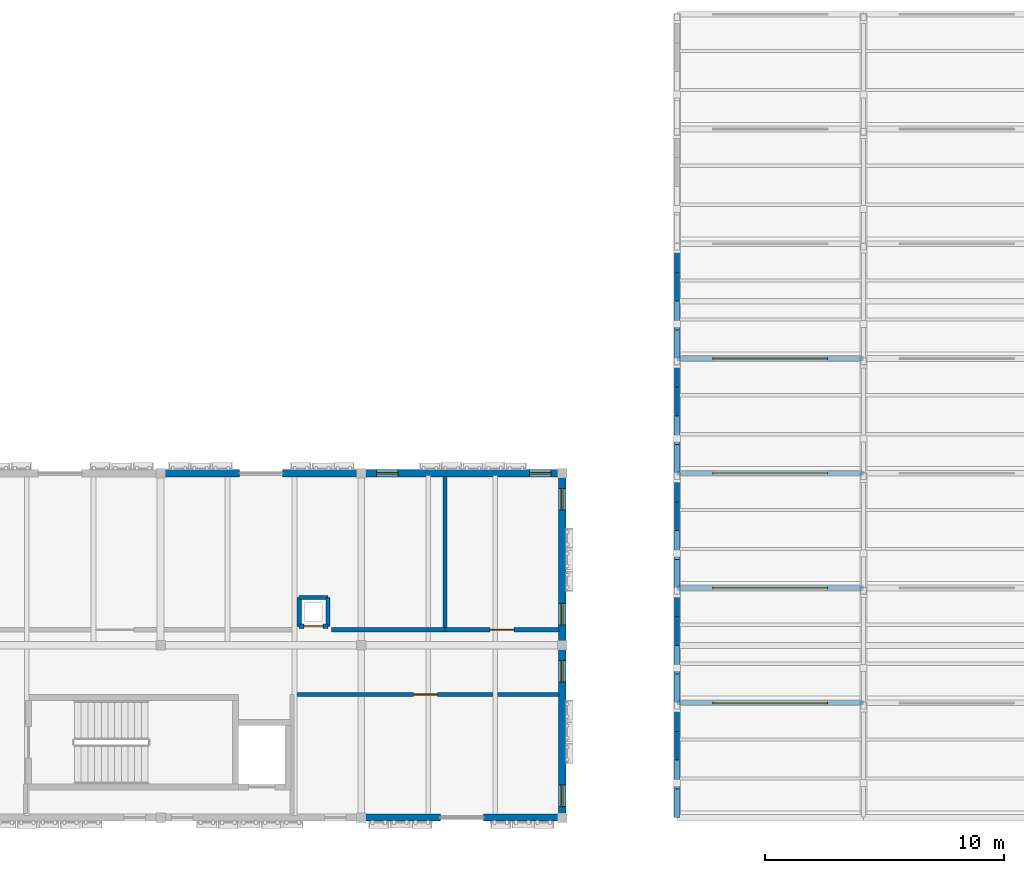
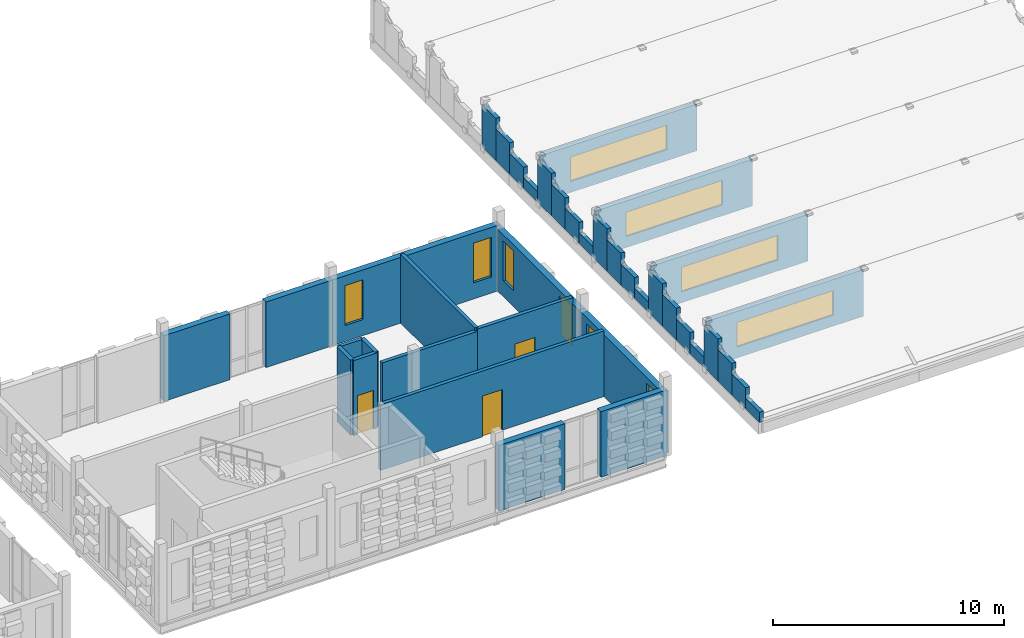
# One storey, part 56 of 81: 39 walls, 10 windows, 3 doors, 13 openings.
"""IFC4 building model written with IfcOpenShell, lengths in metres."""

from ifc_helpers import new_model, si_unit, direction, frame, frame_2d, origin, place, context, subcontext, project, spatial, rectangle, extrude, material, layer, layer_set, type_object, element, fill, save


model = new_model("IFC4")

# Units and contexts
model_context = context("Model", 3, precision=1e-05, world=origin(), true_north=direction((0.0, 1.0)))
body_context = subcontext(model_context, "Body", "Model", "MODEL_VIEW")
ifc_project = project(units=[si_unit("LENGTHUNIT", "METRE"), si_unit("AREAUNIT", "SQUARE_METRE"), si_unit("VOLUMEUNIT", "CUBIC_METRE"), si_unit("PLANEANGLEUNIT", "RADIAN"), si_unit("MASSUNIT", "GRAM", prefix="KILO")], contexts=[model_context])

# Site, building, storey
site_placement = place(None, origin())
site = spatial("IfcSite", under=ifc_project, at=site_placement, CompositionType="ELEMENT")
building_placement = place(site_placement, origin())
building = spatial("IfcBuilding", under=site, at=building_placement, Name="Kahlenmark Community Centre", CompositionType="ELEMENT")
storey_placement = place(building_placement, frame((0.0, 0.0, 9.60009765625)))
storey = spatial("IfcBuildingStorey", under=building, at=storey_placement, Name="L02", CompositionType="ELEMENT", Elevation=9.60009765625)

# Walls
ifc_material_1 = material(Name="Cross-laminated timber CLT C24", Category="wood")
ifc_layer_1 = layer(ifc_material_1, 0.300048828125)
ifc_layer_set_1 = layer_set([ifc_layer_1], Name="Cross-laminated timber CLT C24")
wall_type_1 = type_object("IfcWallType", Name="WT-EW-300", PredefinedType="SOLIDWALL", material=ifc_layer_set_1)
for number, where, z_axis, x_axis, name in (
    (1, (108.39990234375, 8.800048828125, 0.0), (0.0, 0.0, 1.0), (1.0, 0.0, 0.0), "Basketweave backup wall WL-EXT-L02-0533"),
    (2, (113.5, 8.800048828125, 0.0), (0.0, 0.0, 1.0), (1.0, 0.0, 0.0), "Basketweave backup wall WL-EXT-L02-0534"),
):
    element("IfcWall", number, at=place(storey_placement, frame(where, z_axis=z_axis, x_axis=x_axis)), inside=storey, type_object=wall_type_1, Name=name, PredefinedType="SOLIDWALL", context=body_context, shape_type="SweptSolid", body=[
        extrude(rectangle(XDim=3.300048828125, YDim=0.300048828125, at=frame_2d((1.64990234375, 0.0))), origin(), (0.0, 0.0, 1.0), 3.469970703125),
    ])
wall_1_placement = place(storey_placement, frame((108.39990234375, 23.199951171875, 0.0), z_axis=(0.0, 0.0, 1.0), x_axis=(-1.0, 0.0, 0.0)))
element("IfcWall", 3, at=wall_1_placement, inside=storey, type_object=wall_type_1, Name="Basketweave backup wall WL-EXT-L02-0537", PredefinedType="SOLIDWALL", context=body_context, shape_type="SweptSolid", body=[
    extrude(rectangle(XDim=3.2998046875, YDim=0.300048828125, at=frame_2d((1.64990234375, 0.0))), origin(), (0.0, 0.0, 1.0), 3.469970703125),
])
wall_2_placement = place(storey_placement, frame((103.300048828125, 23.199951171875, 0.0), z_axis=(0.0, 0.0, 1.0), x_axis=(-1.0, 0.0, 0.0)))
element("IfcWall", 4, at=wall_2_placement, inside=storey, type_object=wall_type_1, Name="Basketweave backup wall WL-EXT-L02-0538", PredefinedType="SOLIDWALL", context=body_context, shape_type="SweptSolid", body=[
    extrude(rectangle(XDim=3.300048828125, YDim=0.300048828125, at=frame_2d((1.64990234375, 0.0))), origin(), (0.0, 0.0, 1.0), 3.469970703125),
])

# Wall, openings, windows
wall_3_placement = place(storey_placement, frame((116.800048828125, 23.199951171875, 0.0), z_axis=(0.0, 0.0, 1.0), x_axis=(-1.0, 0.0, 0.0)))
wall_3 = element("IfcWall", 5, at=wall_3_placement, inside=storey, type_object=wall_type_1, Name="Exterior wall WL-EXT-L02-0539", PredefinedType="SOLIDWALL", context=body_context, shape_type="SweptSolid", body=[
    extrude(rectangle(XDim=8.400146484375, YDim=0.300048828125, at=frame_2d((4.2001953125, 0.0))), origin(), (0.0, 0.0, 1.0), 3.469970703125),
])
opening_1_placement = place(wall_3_placement, frame((0.4599609375, 0.0, 0.85009765625)))
opening_1 = element("IfcOpeningElement", 6, at=opening_1_placement, cuts=wall_3, Name="Opening W-090X210", PredefinedType="OPENING", context=body_context, shape_type="SweptSolid", body=[
    extrude(rectangle(XDim=0.89990234375, YDim=2.10009765625, at=frame_2d((0.449951171875, 1.050048828125))), frame((0.0, 0.159912109375, 0.0), z_axis=(0.0, -1.0, 0.0), x_axis=(1.0, 0.0, 0.0)), (0.0, 0.0, 1.0), 0.320068359375),
])
opening_2_placement = place(wall_3_placement, frame((6.860107421875, 0.0, 0.85009765625)))
opening_2 = element("IfcOpeningElement", 7, at=opening_2_placement, cuts=wall_3, Name="Opening W-090X210", PredefinedType="OPENING", context=body_context, shape_type="SweptSolid", body=[
    extrude(rectangle(XDim=0.89990234375, YDim=2.10009765625, at=frame_2d((0.449951171875, 1.050048828125))), frame((0.0, 0.159912109375, 0.0), z_axis=(0.0, -1.0, 0.0), x_axis=(1.0, 0.0, 0.0)), (0.0, 0.0, 1.0), 0.320068359375),
])
ifc_material_2 = material(Name="Recessed basketweave aperture triple glazing", Category="glass")
window_type_1 = type_object("IfcWindowType", Name="WNT-090X210", PartitioningType="SINGLE_PANEL", PredefinedType="WINDOW", material=ifc_material_2)
window_1_placement = place(opening_1_placement, origin())
window_1 = element("IfcWindow", 8, at=window_1_placement, inside=storey, type_object=window_type_1, Name="Window W-090X210 #0333", OverallHeight=2.10009765625, OverallWidth=0.89990234375, PartitioningType="SINGLE_PANEL", PredefinedType="WINDOW", context=body_context, shape_type="SweptSolid", body=[
    extrude(rectangle(XDim=0.89990234375, YDim=2.10009765625, at=frame_2d((0.449951171875, 1.050048828125))), frame((0.0, 0.030029296875, 0.0), z_axis=(0.0, -1.0, 0.0), x_axis=(1.0, 0.0, 0.0)), (0.0, 0.0, 1.0), 0.06005859375),
])
fill(opening_1, window_1)
window_2_placement = place(opening_2_placement, origin())
window_2 = element("IfcWindow", 9, at=window_2_placement, inside=storey, type_object=window_type_1, Name="Window W-090X210 #0334", OverallHeight=2.10009765625, OverallWidth=0.89990234375, PartitioningType="SINGLE_PANEL", PredefinedType="WINDOW", context=body_context, shape_type="SweptSolid", body=[
    extrude(rectangle(XDim=0.89990234375, YDim=2.10009765625, at=frame_2d((0.449951171875, 1.050048828125))), frame((0.0, 0.030029296875, 0.0), z_axis=(0.0, -1.0, 0.0), x_axis=(1.0, 0.0, 0.0)), (0.0, 0.0, 1.0), 0.06005859375),
])
fill(opening_2, window_2)

wall_4_placement = place(storey_placement, frame((116.800048828125, 8.800048828125, 0.0), z_axis=(0.0, 0.0, 1.0), x_axis=(0.0, 1.0, 0.0)))
wall_4 = element("IfcWall", 10, at=wall_4_placement, inside=storey, type_object=wall_type_1, Name="Exterior wall WL-EXT-L02-0543", PredefinedType="SOLIDWALL", context=body_context, shape_type="SweptSolid", body=[
    extrude(rectangle(XDim=7.199951171875, YDim=0.300048828125, at=frame_2d((3.60009765625, 0.0))), origin(), (0.0, 0.0, 1.0), 3.27001953125),
])
opening_3_placement = place(wall_4_placement, frame((0.4599609375, 0.0, 0.85009765625)))
opening_3 = element("IfcOpeningElement", 11, at=opening_3_placement, cuts=wall_4, Name="Opening W-090X210", PredefinedType="OPENING", context=body_context, shape_type="SweptSolid", body=[
    extrude(rectangle(XDim=0.89990234375, YDim=2.10009765625, at=frame_2d((0.449951171875, 1.050048828125))), frame((0.0, 0.159912109375, 0.0), z_axis=(0.0, -1.0, 0.0), x_axis=(1.0, 0.0, 0.0)), (0.0, 0.0, 1.0), 0.320068359375),
])
opening_4_placement = place(wall_4_placement, frame((5.659912109375, 0.0, 0.85009765625)))
opening_4 = element("IfcOpeningElement", 12, at=opening_4_placement, cuts=wall_4, Name="Opening W-090X210", PredefinedType="OPENING", context=body_context, shape_type="SweptSolid", body=[
    extrude(rectangle(XDim=0.89990234375, YDim=2.10009765625, at=frame_2d((0.449951171875, 1.050048828125))), frame((0.0, 0.159912109375, 0.0), z_axis=(0.0, -1.0, 0.0), x_axis=(1.0, 0.0, 0.0)), (0.0, 0.0, 1.0), 0.320068359375),
])
window_3_placement = place(opening_3_placement, origin())
window_3 = element("IfcWindow", 13, at=window_3_placement, inside=storey, type_object=window_type_1, Name="Window W-090X210 #0337", OverallHeight=2.10009765625, OverallWidth=0.89990234375, PartitioningType="SINGLE_PANEL", PredefinedType="WINDOW", context=body_context, shape_type="SweptSolid", body=[
    extrude(rectangle(XDim=0.89990234375, YDim=2.10009765625, at=frame_2d((0.449951171875, 1.050048828125))), frame((0.0, 0.030029296875, 0.0), z_axis=(0.0, -1.0, 0.0), x_axis=(1.0, 0.0, 0.0)), (0.0, 0.0, 1.0), 0.06005859375),
])
fill(opening_3, window_3)
window_4_placement = place(opening_4_placement, origin())
window_4 = element("IfcWindow", 14, at=window_4_placement, inside=storey, type_object=window_type_1, Name="Window W-090X210 #0338", OverallHeight=2.10009765625, OverallWidth=0.89990234375, PartitioningType="SINGLE_PANEL", PredefinedType="WINDOW", context=body_context, shape_type="SweptSolid", body=[
    extrude(rectangle(XDim=0.89990234375, YDim=2.10009765625, at=frame_2d((0.449951171875, 1.050048828125))), frame((0.0, 0.030029296875, 0.0), z_axis=(0.0, -1.0, 0.0), x_axis=(1.0, 0.0, 0.0)), (0.0, 0.0, 1.0), 0.06005859375),
])
fill(opening_4, window_4)

wall_5_placement = place(storey_placement, frame((116.800048828125, 16.0, 0.0), z_axis=(0.0, 0.0, 1.0), x_axis=(0.0, 1.0, 0.0)))
wall_5 = element("IfcWall", 15, at=wall_5_placement, inside=storey, type_object=wall_type_1, Name="Exterior wall WL-EXT-L02-0544", PredefinedType="SOLIDWALL", context=body_context, shape_type="SweptSolid", body=[
    extrude(rectangle(XDim=7.199951171875, YDim=0.300048828125, at=frame_2d((3.60009765625, 0.0))), origin(), (0.0, 0.0, 1.0), 3.27001953125),
])
opening_5_placement = place(wall_5_placement, frame((0.860107421875, 0.0, 0.85009765625)))
opening_5 = element("IfcOpeningElement", 16, at=opening_5_placement, cuts=wall_5, Name="Opening W-090X210", PredefinedType="OPENING", context=body_context, shape_type="SweptSolid", body=[
    extrude(rectangle(XDim=0.89990234375, YDim=2.10009765625, at=frame_2d((0.449951171875, 1.050048828125))), frame((0.0, 0.159912109375, 0.0), z_axis=(0.0, -1.0, 0.0), x_axis=(1.0, 0.0, 0.0)), (0.0, 0.0, 1.0), 0.320068359375),
])
opening_6_placement = place(wall_5_placement, frame((5.659912109375, 0.0, 0.85009765625)))
opening_6 = element("IfcOpeningElement", 17, at=opening_6_placement, cuts=wall_5, Name="Opening W-090X210", PredefinedType="OPENING", context=body_context, shape_type="SweptSolid", body=[
    extrude(rectangle(XDim=0.89990234375, YDim=2.10009765625, at=frame_2d((0.449951171875, 1.050048828125))), frame((0.0, 0.159912109375, 0.0), z_axis=(0.0, -1.0, 0.0), x_axis=(1.0, 0.0, 0.0)), (0.0, 0.0, 1.0), 0.320068359375),
])
window_5_placement = place(opening_5_placement, origin())
window_5 = element("IfcWindow", 18, at=window_5_placement, inside=storey, type_object=window_type_1, Name="Window W-090X210 #0339", OverallHeight=2.10009765625, OverallWidth=0.89990234375, PartitioningType="SINGLE_PANEL", PredefinedType="WINDOW", context=body_context, shape_type="SweptSolid", body=[
    extrude(rectangle(XDim=0.89990234375, YDim=2.10009765625, at=frame_2d((0.449951171875, 1.050048828125))), frame((0.0, 0.030029296875, 0.0), z_axis=(0.0, -1.0, 0.0), x_axis=(1.0, 0.0, 0.0)), (0.0, 0.0, 1.0), 0.06005859375),
])
fill(opening_5, window_5)
window_6_placement = place(opening_6_placement, origin())
window_6 = element("IfcWindow", 19, at=window_6_placement, inside=storey, type_object=window_type_1, Name="Window W-090X210 #0340", OverallHeight=2.10009765625, OverallWidth=0.89990234375, PartitioningType="SINGLE_PANEL", PredefinedType="WINDOW", context=body_context, shape_type="SweptSolid", body=[
    extrude(rectangle(XDim=0.89990234375, YDim=2.10009765625, at=frame_2d((0.449951171875, 1.050048828125))), frame((0.0, 0.030029296875, 0.0), z_axis=(0.0, -1.0, 0.0), x_axis=(1.0, 0.0, 0.0)), (0.0, 0.0, 1.0), 0.06005859375),
])
fill(opening_6, window_6)

# Wall, opening, window
ifc_layer_2 = layer(ifc_material_1, 0.199951171875)
ifc_layer_set_2 = layer_set([ifc_layer_2], Name="Cross-laminated timber CLT C24")
wall_type_2 = type_object("IfcWallType", Name="WT-EW-SAW200", PredefinedType="SOLIDWALL", material=ifc_layer_set_2)
wall_6_placement = place(storey_placement, frame((121.60009765625, 13.60009765625, 0.0), z_axis=(0.0, 0.0, 1.0), x_axis=(1.0, 0.0, 0.0)))
wall_6 = element("IfcWall", 20, at=wall_6_placement, inside=storey, type_object=wall_type_2, Name="Sawtooth north-light wall bay 1", PredefinedType="SOLIDWALL", context=body_context, shape_type="SweptSolid", body=[
    extrude(rectangle(XDim=7.7998046875, YDim=0.199951171875, at=frame_2d((3.89990234375, 0.0))), origin(), (0.0, 0.0, 1.0), 2.4599609375),
])
opening_7_placement = place(wall_6_placement, frame((1.5, 0.0, 0.580078125)))
opening_7 = element("IfcOpeningElement", 21, at=opening_7_placement, cuts=wall_6, Name="Opening SK-SAW1", PredefinedType="OPENING", context=body_context, shape_type="SweptSolid", body=[
    extrude(rectangle(XDim=4.800048828125, YDim=1.300048828125, at=frame_2d((2.39990234375, 0.64990234375))), frame((0.0, 0.10986328125, 0.0), z_axis=(0.0, -1.0, 0.0), x_axis=(1.0, 0.0, 0.0)), (0.0, 0.0, 1.0), 0.219970703125),
])
ifc_material_3 = material(Name="North-light solar control triple glazing", Category="glass")
window_type_2 = type_object("IfcWindowType", Name="WNT-SK-SAW", PartitioningType="TRIPLE_PANEL_VERTICAL", PredefinedType="SKYLIGHT", material=ifc_material_3)
window_7_placement = place(opening_7_placement, origin())
window_7 = element("IfcWindow", 22, at=window_7_placement, inside=storey, type_object=window_type_2, Name="Sawtooth north-light skylight 0551", OverallHeight=1.300048828125, OverallWidth=4.800048828125, PartitioningType="TRIPLE_PANEL_VERTICAL", PredefinedType="SKYLIGHT", context=body_context, shape_type="SweptSolid", body=[
    extrude(rectangle(XDim=4.800048828125, YDim=1.300048828125, at=frame_2d((2.39990234375, 0.64990234375))), frame((0.0, 0.030029296875, 0.0), z_axis=(0.0, -1.0, 0.0), x_axis=(1.0, 0.0, 0.0)), (0.0, 0.0, 1.0), 0.06005859375),
])
fill(opening_7, window_7)

# Walls
wall_7_placement = place(storey_placement, frame((121.60009765625, 8.800048828125, 0.0), z_axis=(0.0, 0.0, 1.0), x_axis=(0.0, 1.0, 0.0)))
element("IfcWall", 23, at=wall_7_placement, inside=storey, type_object=wall_type_2, Name="Sawtooth stepped cheek gable 0934", PredefinedType="SOLIDWALL", context=body_context, shape_type="SweptSolid", body=[
    extrude(rectangle(XDim=1.199951171875, YDim=0.199951171875, at=frame_2d((0.60009765625, 0.0))), origin(), (0.0, 0.0, 1.0), 0.5439453125),
])
wall_8_placement = place(storey_placement, frame((121.60009765625, 10.0, 0.0), z_axis=(0.0, 0.0, 1.0), x_axis=(0.0, 1.0, 0.0)))
element("IfcWall", 24, at=wall_8_placement, inside=storey, type_object=wall_type_2, Name="Sawtooth stepped cheek gable 0935", PredefinedType="SOLIDWALL", context=body_context, shape_type="SweptSolid", body=[
    extrude(rectangle(XDim=1.199951171875, YDim=0.199951171875, at=frame_2d((0.60009765625, 0.0))), origin(), (0.0, 0.0, 1.0), 1.10400390625),
])
wall_9_placement = place(storey_placement, frame((121.60009765625, 11.199951171875, 0.0), z_axis=(0.0, 0.0, 1.0), x_axis=(0.0, 1.0, 0.0)))
element("IfcWall", 25, at=wall_9_placement, inside=storey, type_object=wall_type_2, Name="Sawtooth stepped cheek gable 0936", PredefinedType="SOLIDWALL", context=body_context, shape_type="SweptSolid", body=[
    extrude(rectangle(XDim=1.199951171875, YDim=0.199951171875, at=frame_2d((0.60009765625, 0.0))), origin(), (0.0, 0.0, 1.0), 1.663818359375),
])
wall_10_placement = place(storey_placement, frame((121.60009765625, 12.39990234375, 0.0), z_axis=(0.0, 0.0, 1.0), x_axis=(0.0, 1.0, 0.0)))
element("IfcWall", 26, at=wall_10_placement, inside=storey, type_object=wall_type_2, Name="Sawtooth stepped cheek gable 0937", PredefinedType="SOLIDWALL", context=body_context, shape_type="SweptSolid", body=[
    extrude(rectangle(XDim=1.2001953125, YDim=0.199951171875, at=frame_2d((0.60009765625, 0.0))), origin(), (0.0, 0.0, 1.0), 2.223876953125),
])

# Wall, opening, window
wall_11_placement = place(storey_placement, frame((121.60009765625, 18.39990234375, 0.0), z_axis=(0.0, 0.0, 1.0), x_axis=(1.0, 0.0, 0.0)))
wall_11 = element("IfcWall", 27, at=wall_11_placement, inside=storey, type_object=wall_type_2, Name="Sawtooth north-light wall bay 2", PredefinedType="SOLIDWALL", context=body_context, shape_type="SweptSolid", body=[
    extrude(rectangle(XDim=7.7998046875, YDim=0.199951171875, at=frame_2d((3.89990234375, 0.0))), origin(), (0.0, 0.0, 1.0), 2.4599609375),
])
opening_8_placement = place(wall_11_placement, frame((1.5, 0.0, 0.580078125)))
opening_8 = element("IfcOpeningElement", 28, at=opening_8_placement, cuts=wall_11, Name="Opening SK-SAW1", PredefinedType="OPENING", context=body_context, shape_type="SweptSolid", body=[
    extrude(rectangle(XDim=4.800048828125, YDim=1.300048828125, at=frame_2d((2.39990234375, 0.64990234375))), frame((0.0, 0.10986328125, 0.0), z_axis=(0.0, -1.0, 0.0), x_axis=(1.0, 0.0, 0.0)), (0.0, 0.0, 1.0), 0.219970703125),
])
window_8_placement = place(opening_8_placement, origin())
window_8 = element("IfcWindow", 29, at=window_8_placement, inside=storey, type_object=window_type_2, Name="Sawtooth north-light skylight 0557", OverallHeight=1.300048828125, OverallWidth=4.800048828125, PartitioningType="TRIPLE_PANEL_VERTICAL", PredefinedType="SKYLIGHT", context=body_context, shape_type="SweptSolid", body=[
    extrude(rectangle(XDim=4.800048828125, YDim=1.300048828125, at=frame_2d((2.39990234375, 0.64990234375))), frame((0.0, 0.030029296875, 0.0), z_axis=(0.0, -1.0, 0.0), x_axis=(1.0, 0.0, 0.0)), (0.0, 0.0, 1.0), 0.06005859375),
])
fill(opening_8, window_8)

# Walls
wall_12_placement = place(storey_placement, frame((121.60009765625, 13.60009765625, 0.0), z_axis=(0.0, 0.0, 1.0), x_axis=(0.0, 1.0, 0.0)))
element("IfcWall", 30, at=wall_12_placement, inside=storey, type_object=wall_type_2, Name="Sawtooth stepped cheek gable 0948", PredefinedType="SOLIDWALL", context=body_context, shape_type="SweptSolid", body=[
    extrude(rectangle(XDim=1.199951171875, YDim=0.199951171875, at=frame_2d((0.60009765625, 0.0))), origin(), (0.0, 0.0, 1.0), 0.5439453125),
])
wall_13_placement = place(storey_placement, frame((121.60009765625, 14.800048828125, 0.0), z_axis=(0.0, 0.0, 1.0), x_axis=(0.0, 1.0, 0.0)))
element("IfcWall", 31, at=wall_13_placement, inside=storey, type_object=wall_type_2, Name="Sawtooth stepped cheek gable 0949", PredefinedType="SOLIDWALL", context=body_context, shape_type="SweptSolid", body=[
    extrude(rectangle(XDim=1.199951171875, YDim=0.199951171875, at=frame_2d((0.60009765625, 0.0))), origin(), (0.0, 0.0, 1.0), 1.10400390625),
])
wall_14_placement = place(storey_placement, frame((121.60009765625, 16.0, 0.0), z_axis=(0.0, 0.0, 1.0), x_axis=(0.0, 1.0, 0.0)))
element("IfcWall", 32, at=wall_14_placement, inside=storey, type_object=wall_type_2, Name="Sawtooth stepped cheek gable 0950", PredefinedType="SOLIDWALL", context=body_context, shape_type="SweptSolid", body=[
    extrude(rectangle(XDim=1.199951171875, YDim=0.199951171875, at=frame_2d((0.60009765625, 0.0))), origin(), (0.0, 0.0, 1.0), 1.663818359375),
])
wall_15_placement = place(storey_placement, frame((121.60009765625, 17.199951171875, 0.0), z_axis=(0.0, 0.0, 1.0), x_axis=(0.0, 1.0, 0.0)))
element("IfcWall", 33, at=wall_15_placement, inside=storey, type_object=wall_type_2, Name="Sawtooth stepped cheek gable 0951", PredefinedType="SOLIDWALL", context=body_context, shape_type="SweptSolid", body=[
    extrude(rectangle(XDim=1.199951171875, YDim=0.199951171875, at=frame_2d((0.60009765625, 0.0))), origin(), (0.0, 0.0, 1.0), 2.223876953125),
])

# Wall, opening, window
wall_16_placement = place(storey_placement, frame((121.60009765625, 23.199951171875, 0.0), z_axis=(0.0, 0.0, 1.0), x_axis=(1.0, 0.0, 0.0)))
wall_16 = element("IfcWall", 34, at=wall_16_placement, inside=storey, type_object=wall_type_2, Name="Sawtooth north-light wall bay 3", PredefinedType="SOLIDWALL", context=body_context, shape_type="SweptSolid", body=[
    extrude(rectangle(XDim=7.7998046875, YDim=0.199951171875, at=frame_2d((3.89990234375, 0.0))), origin(), (0.0, 0.0, 1.0), 2.4599609375),
])
opening_9_placement = place(wall_16_placement, frame((1.5, 0.0, 0.580078125)))
opening_9 = element("IfcOpeningElement", 35, at=opening_9_placement, cuts=wall_16, Name="Opening SK-SAW1", PredefinedType="OPENING", context=body_context, shape_type="SweptSolid", body=[
    extrude(rectangle(XDim=4.800048828125, YDim=1.300048828125, at=frame_2d((2.39990234375, 0.64990234375))), frame((0.0, 0.10986328125, 0.0), z_axis=(0.0, -1.0, 0.0), x_axis=(1.0, 0.0, 0.0)), (0.0, 0.0, 1.0), 0.219970703125),
])
window_9_placement = place(opening_9_placement, origin())
window_9 = element("IfcWindow", 36, at=window_9_placement, inside=storey, type_object=window_type_2, Name="Sawtooth north-light skylight 0563", OverallHeight=1.300048828125, OverallWidth=4.800048828125, PartitioningType="TRIPLE_PANEL_VERTICAL", PredefinedType="SKYLIGHT", context=body_context, shape_type="SweptSolid", body=[
    extrude(rectangle(XDim=4.800048828125, YDim=1.300048828125, at=frame_2d((2.39990234375, 0.64990234375))), frame((0.0, 0.030029296875, 0.0), z_axis=(0.0, -1.0, 0.0), x_axis=(1.0, 0.0, 0.0)), (0.0, 0.0, 1.0), 0.06005859375),
])
fill(opening_9, window_9)

# Walls
wall_17_placement = place(storey_placement, frame((121.60009765625, 18.39990234375, 0.0), z_axis=(0.0, 0.0, 1.0), x_axis=(0.0, 1.0, 0.0)))
element("IfcWall", 37, at=wall_17_placement, inside=storey, type_object=wall_type_2, Name="Sawtooth stepped cheek gable 0962", PredefinedType="SOLIDWALL", context=body_context, shape_type="SweptSolid", body=[
    extrude(rectangle(XDim=1.2001953125, YDim=0.199951171875, at=frame_2d((0.60009765625, 0.0))), origin(), (0.0, 0.0, 1.0), 0.5439453125),
])
wall_18_placement = place(storey_placement, frame((121.60009765625, 19.60009765625, 0.0), z_axis=(0.0, 0.0, 1.0), x_axis=(0.0, 1.0, 0.0)))
element("IfcWall", 38, at=wall_18_placement, inside=storey, type_object=wall_type_2, Name="Sawtooth stepped cheek gable 0963", PredefinedType="SOLIDWALL", context=body_context, shape_type="SweptSolid", body=[
    extrude(rectangle(XDim=1.199951171875, YDim=0.199951171875, at=frame_2d((0.60009765625, 0.0))), origin(), (0.0, 0.0, 1.0), 1.10400390625),
])
wall_19_placement = place(storey_placement, frame((121.60009765625, 20.800048828125, 0.0), z_axis=(0.0, 0.0, 1.0), x_axis=(0.0, 1.0, 0.0)))
element("IfcWall", 39, at=wall_19_placement, inside=storey, type_object=wall_type_2, Name="Sawtooth stepped cheek gable 0964", PredefinedType="SOLIDWALL", context=body_context, shape_type="SweptSolid", body=[
    extrude(rectangle(XDim=1.199951171875, YDim=0.199951171875, at=frame_2d((0.60009765625, 0.0))), origin(), (0.0, 0.0, 1.0), 1.663818359375),
])
wall_20_placement = place(storey_placement, frame((121.60009765625, 22.0, 0.0), z_axis=(0.0, 0.0, 1.0), x_axis=(0.0, 1.0, 0.0)))
element("IfcWall", 40, at=wall_20_placement, inside=storey, type_object=wall_type_2, Name="Sawtooth stepped cheek gable 0965", PredefinedType="SOLIDWALL", context=body_context, shape_type="SweptSolid", body=[
    extrude(rectangle(XDim=1.199951171875, YDim=0.199951171875, at=frame_2d((0.60009765625, 0.0))), origin(), (0.0, 0.0, 1.0), 2.223876953125),
])

# Wall, opening, window
wall_21_placement = place(storey_placement, frame((121.60009765625, 28.0, 0.0), z_axis=(0.0, 0.0, 1.0), x_axis=(1.0, 0.0, 0.0)))
wall_21 = element("IfcWall", 41, at=wall_21_placement, inside=storey, type_object=wall_type_2, Name="Sawtooth north-light wall bay 4", PredefinedType="SOLIDWALL", context=body_context, shape_type="SweptSolid", body=[
    extrude(rectangle(XDim=7.7998046875, YDim=0.199951171875, at=frame_2d((3.89990234375, 0.0))), origin(), (0.0, 0.0, 1.0), 2.4599609375),
])
opening_10_placement = place(wall_21_placement, frame((1.5, 0.0, 0.580078125)))
opening_10 = element("IfcOpeningElement", 42, at=opening_10_placement, cuts=wall_21, Name="Opening SK-SAW1", PredefinedType="OPENING", context=body_context, shape_type="SweptSolid", body=[
    extrude(rectangle(XDim=4.800048828125, YDim=1.300048828125, at=frame_2d((2.39990234375, 0.64990234375))), frame((0.0, 0.10986328125, 0.0), z_axis=(0.0, -1.0, 0.0), x_axis=(1.0, 0.0, 0.0)), (0.0, 0.0, 1.0), 0.219970703125),
])
window_10_placement = place(opening_10_placement, origin())
window_10 = element("IfcWindow", 43, at=window_10_placement, inside=storey, type_object=window_type_2, Name="Sawtooth north-light skylight 0569", OverallHeight=1.300048828125, OverallWidth=4.800048828125, PartitioningType="TRIPLE_PANEL_VERTICAL", PredefinedType="SKYLIGHT", context=body_context, shape_type="SweptSolid", body=[
    extrude(rectangle(XDim=4.800048828125, YDim=1.300048828125, at=frame_2d((2.39990234375, 0.64990234375))), frame((0.0, 0.030029296875, 0.0), z_axis=(0.0, -1.0, 0.0), x_axis=(1.0, 0.0, 0.0)), (0.0, 0.0, 1.0), 0.06005859375),
])
fill(opening_10, window_10)

# Walls
wall_22_placement = place(storey_placement, frame((121.60009765625, 23.199951171875, 0.0), z_axis=(0.0, 0.0, 1.0), x_axis=(0.0, 1.0, 0.0)))
element("IfcWall", 44, at=wall_22_placement, inside=storey, type_object=wall_type_2, Name="Sawtooth stepped cheek gable 0973", PredefinedType="SOLIDWALL", context=body_context, shape_type="SweptSolid", body=[
    extrude(rectangle(XDim=1.199951171875, YDim=0.199951171875, at=frame_2d((0.60009765625, 0.0))), origin(), (0.0, 0.0, 1.0), 0.5439453125),
])
wall_23_placement = place(storey_placement, frame((121.60009765625, 24.39990234375, 0.0), z_axis=(0.0, 0.0, 1.0), x_axis=(0.0, 1.0, 0.0)))
element("IfcWall", 45, at=wall_23_placement, inside=storey, type_object=wall_type_2, Name="Sawtooth stepped cheek gable 0974", PredefinedType="SOLIDWALL", context=body_context, shape_type="SweptSolid", body=[
    extrude(rectangle(XDim=1.2001953125, YDim=0.199951171875, at=frame_2d((0.60009765625, 0.0))), origin(), (0.0, 0.0, 1.0), 1.10400390625),
])
wall_24_placement = place(storey_placement, frame((121.60009765625, 25.60009765625, 0.0), z_axis=(0.0, 0.0, 1.0), x_axis=(0.0, 1.0, 0.0)))
element("IfcWall", 46, at=wall_24_placement, inside=storey, type_object=wall_type_2, Name="Sawtooth stepped cheek gable 0975", PredefinedType="SOLIDWALL", context=body_context, shape_type="SweptSolid", body=[
    extrude(rectangle(XDim=1.199951171875, YDim=0.199951171875, at=frame_2d((0.60009765625, 0.0))), origin(), (0.0, 0.0, 1.0), 1.663818359375),
])
wall_25_placement = place(storey_placement, frame((121.60009765625, 26.800048828125, 0.0), z_axis=(0.0, 0.0, 1.0), x_axis=(0.0, 1.0, 0.0)))
element("IfcWall", 47, at=wall_25_placement, inside=storey, type_object=wall_type_2, Name="Sawtooth stepped cheek gable 0976", PredefinedType="SOLIDWALL", context=body_context, shape_type="SweptSolid", body=[
    extrude(rectangle(XDim=1.199951171875, YDim=0.199951171875, at=frame_2d((0.60009765625, 0.0))), origin(), (0.0, 0.0, 1.0), 2.223876953125),
])
wall_26_placement = place(storey_placement, frame((121.60009765625, 28.0, 0.0), z_axis=(0.0, 0.0, 1.0), x_axis=(0.0, 1.0, 0.0)))
element("IfcWall", 48, at=wall_26_placement, inside=storey, type_object=wall_type_2, Name="Sawtooth stepped cheek gable 0984", PredefinedType="SOLIDWALL", context=body_context, shape_type="SweptSolid", body=[
    extrude(rectangle(XDim=1.199951171875, YDim=0.199951171875, at=frame_2d((0.60009765625, 0.0))), origin(), (0.0, 0.0, 1.0), 0.5439453125),
])
wall_27_placement = place(storey_placement, frame((121.60009765625, 29.199951171875, 0.0), z_axis=(0.0, 0.0, 1.0), x_axis=(0.0, 1.0, 0.0)))
element("IfcWall", 49, at=wall_27_placement, inside=storey, type_object=wall_type_2, Name="Sawtooth stepped cheek gable 0985", PredefinedType="SOLIDWALL", context=body_context, shape_type="SweptSolid", body=[
    extrude(rectangle(XDim=1.199951171875, YDim=0.199951171875, at=frame_2d((0.60009765625, 0.0))), origin(), (0.0, 0.0, 1.0), 1.10400390625),
])
wall_28_placement = place(storey_placement, frame((121.60009765625, 30.39990234375, 0.0), z_axis=(0.0, 0.0, 1.0), x_axis=(0.0, 1.0, 0.0)))
element("IfcWall", 50, at=wall_28_placement, inside=storey, type_object=wall_type_2, Name="Sawtooth stepped cheek gable 0986", PredefinedType="SOLIDWALL", context=body_context, shape_type="SweptSolid", body=[
    extrude(rectangle(XDim=1.2001953125, YDim=0.199951171875, at=frame_2d((0.60009765625, 0.0))), origin(), (0.0, 0.0, 1.0), 1.663818359375),
])
wall_29_placement = place(storey_placement, frame((121.60009765625, 31.60009765625, 0.0), z_axis=(0.0, 0.0, 1.0), x_axis=(0.0, 1.0, 0.0)))
element("IfcWall", 51, at=wall_29_placement, inside=storey, type_object=wall_type_2, Name="Sawtooth stepped cheek gable 0987", PredefinedType="SOLIDWALL", context=body_context, shape_type="SweptSolid", body=[
    extrude(rectangle(XDim=1.199951171875, YDim=0.199951171875, at=frame_2d((0.60009765625, 0.0))), origin(), (0.0, 0.0, 1.0), 2.223876953125),
])

# Wall, opening, door
ifc_material_4 = material(Name="Gypsum plasterboard partition", Category="gypsum")
ifc_layer_3 = layer(ifc_material_4, 0.179931640625)
ifc_layer_set_3 = layer_set([ifc_layer_3], Name="Gypsum plasterboard partition")
wall_type_3 = type_object("IfcWallType", Name="WT-PW-180", PredefinedType="PARTITIONING", material=ifc_layer_set_3)
wall_30_placement = place(storey_placement, frame((105.5, 13.949951171875, 0.0), z_axis=(0.0, 0.0, 1.0), x_axis=(1.0, 0.0, 0.0)))
wall_30 = element("IfcWall", 52, at=wall_30_placement, inside=storey, type_object=wall_type_3, Name="Interior partition WL-INT-L02-0179", PredefinedType="PARTITIONING", context=body_context, shape_type="SweptSolid", body=[
    extrude(rectangle(XDim=11.159912109375, YDim=0.179931640625, at=frame_2d((5.580078125, 0.0))), origin(), (0.0, 0.0, 1.0), 3.469970703125),
])
opening_11_placement = place(wall_30_placement, frame((5.080078125, 0.0, -0.010009765625)))
opening_11 = element("IfcOpeningElement", 53, at=opening_11_placement, cuts=wall_30, Name="Opening D-L02-104", PredefinedType="OPENING", context=body_context, shape_type="SweptSolid", body=[
    extrude(rectangle(XDim=1.0, YDim=2.159912109375, at=frame_2d((0.5, 1.080078125))), frame((0.0, 0.099853515625, 0.0), z_axis=(0.0, -1.0, 0.0), x_axis=(1.0, 0.0, 0.0)), (0.0, 0.0, 1.0), 0.199951171875),
])
ifc_material_5 = material(Name="Oak timber veneer door leaf", Category="wood")
door_type_1 = type_object("IfcDoorType", Name="DT-INT-100X215", OperationType="NOTDEFINED", PredefinedType="DOOR", material=ifc_material_5)
door_1_placement = place(opening_11_placement, frame((0.0, 0.0, 0.010009765625)))
door_1 = element("IfcDoor", 54, at=door_1_placement, inside=storey, type_object=door_type_1, Name="Interior door D-L02-104", OperationType="SINGLE_SWING_LEFT", OverallHeight=2.14990234375, OverallWidth=1.0, PredefinedType="DOOR", context=body_context, shape_type="SweptSolid", body=[
    extrude(rectangle(XDim=1.0, YDim=2.14990234375, at=frame_2d((0.5, 1.074951171875))), frame((0.0, 0.02490234375, 0.0), z_axis=(0.0, -1.0, 0.0), x_axis=(1.0, 0.0, 0.0)), (0.0, 0.0, 1.0), 0.050048828125),
])
fill(opening_11, door_1)

# Wall
wall_31_placement = place(storey_placement, frame((107.14990234375, 16.64990234375, 0.0), z_axis=(0.0, 0.0, 1.0), x_axis=(1.0, 0.0, 0.0)))
element("IfcWall", 55, at=wall_31_placement, inside=storey, type_object=wall_type_3, Name="Interior partition WL-INT-L02-0181", PredefinedType="PARTITIONING", context=body_context, shape_type="SweptSolid", body=[
    extrude(rectangle(XDim=4.75, YDim=0.179931640625, at=frame_2d((2.375, 0.0))), origin(), (0.0, 0.0, 1.0), 3.469970703125),
])

# Wall, opening, door
wall_32_placement = place(storey_placement, frame((111.89990234375, 16.64990234375, 0.0), z_axis=(0.0, 0.0, 1.0), x_axis=(1.0, 0.0, 0.0)))
wall_32 = element("IfcWall", 56, at=wall_32_placement, inside=storey, type_object=wall_type_3, Name="Interior partition WL-INT-L02-0182", PredefinedType="PARTITIONING", context=body_context, shape_type="SweptSolid", body=[
    extrude(rectangle(XDim=4.760009765625, YDim=0.179931640625, at=frame_2d((2.3798828125, 0.0))), origin(), (0.0, 0.0, 1.0), 3.58984375),
])
opening_12_placement = place(wall_32_placement, frame((1.8798828125, 0.0, -0.010009765625)))
opening_12 = element("IfcOpeningElement", 57, at=opening_12_placement, cuts=wall_32, Name="Opening D-L02-106", PredefinedType="OPENING", context=body_context, shape_type="SweptSolid", body=[
    extrude(rectangle(XDim=1.0, YDim=2.159912109375, at=frame_2d((0.5, 1.080078125))), frame((0.0, 0.099853515625, 0.0), z_axis=(0.0, -1.0, 0.0), x_axis=(1.0, 0.0, 0.0)), (0.0, 0.0, 1.0), 0.199951171875),
])
door_2_placement = place(opening_12_placement, frame((0.0, 0.0, 0.010009765625)))
door_2 = element("IfcDoor", 58, at=door_2_placement, inside=storey, type_object=door_type_1, Name="Interior door D-L02-106", OperationType="SINGLE_SWING_LEFT", OverallHeight=2.14990234375, OverallWidth=1.0, PredefinedType="DOOR", context=body_context, shape_type="SweptSolid", body=[
    extrude(rectangle(XDim=1.0, YDim=2.14990234375, at=frame_2d((0.5, 1.074951171875))), frame((0.0, 0.02490234375, 0.0), z_axis=(0.0, -1.0, 0.0), x_axis=(1.0, 0.0, 0.0)), (0.0, 0.0, 1.0), 0.050048828125),
])
fill(opening_12, door_2)

# Wall
wall_33_placement = place(storey_placement, frame((111.89990234375, 16.64990234375, 0.0), z_axis=(0.0, 0.0, 1.0), x_axis=(0.0, 1.0, 0.0)))
element("IfcWall", 59, at=wall_33_placement, inside=storey, type_object=wall_type_3, Name="Interior partition WL-INT-L02-0183", PredefinedType="PARTITIONING", context=body_context, shape_type="SweptSolid", body=[
    extrude(rectangle(XDim=6.41015625, YDim=0.179931640625, at=frame_2d((3.205078125, 0.0))), origin(), (0.0, 0.0, 1.0), 3.6298828125),
])

# Wall, opening, door
ifc_material_6 = material(Name="Masonry blockwork", Category="masonry")
ifc_layer_4 = layer(ifc_material_6, 0.179931640625)
ifc_layer_set_4 = layer_set([ifc_layer_4], Name="Masonry blockwork")
wall_type_4 = type_object("IfcWallType", Name="WT-RISER-180", PredefinedType="SOLIDWALL", material=ifc_layer_set_4)
wall_34_placement = place(storey_placement, frame((105.800048828125, 16.800048828125, 0.0), z_axis=(0.0, 0.0, 1.0), x_axis=(1.0, 0.0, 0.0)))
wall_34 = element("IfcWall", 60, at=wall_34_placement, inside=storey, type_object=wall_type_4, Name="Riser RS-04 shaft wall L02.1", PredefinedType="SOLIDWALL", context=body_context, shape_type="SweptSolid", body=[
    extrude(rectangle(XDim=1.199951171875, YDim=0.179931640625, at=frame_2d((0.60009765625, 0.0))), origin(), (0.0, 0.0, 1.0), 3.969970703125),
])
opening_13_placement = place(wall_34_placement, frame((0.199951171875, 0.0, -0.010009765625)))
opening_13 = element("IfcOpeningElement", 61, at=opening_13_placement, cuts=wall_34, Name="Opening FD-RS80", PredefinedType="OPENING", context=body_context, shape_type="SweptSolid", body=[
    extrude(rectangle(XDim=0.800048828125, YDim=2.06005859375, at=frame_2d((0.39990234375, 1.030029296875))), frame((0.0, 0.099853515625, 0.0), z_axis=(0.0, -1.0, 0.0), x_axis=(1.0, 0.0, 0.0)), (0.0, 0.0, 1.0), 0.199951171875),
])
ifc_material_7 = material(Name="Fire-rated steel service riser door FD60S", Category="steel")
door_type_2 = type_object("IfcDoorType", Name="DT-RISER-80X205", OperationType="NOTDEFINED", PredefinedType="DOOR", material=ifc_material_7)
door_3_placement = place(opening_13_placement, frame((0.0, 0.0, 0.010009765625)))
door_3 = element("IfcDoor", 62, at=door_3_placement, inside=storey, type_object=door_type_2, Name="Riser RS-04 access door L02", OperationType="SINGLE_SWING_LEFT", OverallHeight=2.050048828125, OverallWidth=0.800048828125, PredefinedType="DOOR", context=body_context, shape_type="SweptSolid", body=[
    extrude(rectangle(XDim=0.800048828125, YDim=2.050048828125, at=frame_2d((0.39990234375, 1.02490234375))), frame((0.0, 0.02490234375, 0.0), z_axis=(0.0, -1.0, 0.0), x_axis=(1.0, 0.0, 0.0)), (0.0, 0.0, 1.0), 0.050048828125),
])
fill(opening_13, door_3)

# Walls
for number, where, z_axis, x_axis, name in (
    (63, (107.0, 16.800048828125, 0.0), (0.0, 0.0, 1.0), (0.0, 1.0, 0.0), "Riser RS-04 shaft wall L02.2"),
    (64, (107.0, 18.0, 0.0), (0.0, 0.0, 1.0), (-1.0, 0.0, 0.0), "Riser RS-04 shaft wall L02.3"),
    (65, (105.800048828125, 18.0, 0.0), (0.0, 0.0, 1.0), (0.0, -1.0, 0.0), "Riser RS-04 shaft wall L02.4"),
):
    element("IfcWall", number, at=place(storey_placement, frame(where, z_axis=z_axis, x_axis=x_axis)), inside=storey, type_object=wall_type_4, Name=name, PredefinedType="SOLIDWALL", context=body_context, shape_type="SweptSolid", body=[
        extrude(rectangle(XDim=1.199951171875, YDim=0.179931640625, at=frame_2d((0.60009765625, 0.0))), origin(), (0.0, 0.0, 1.0), 3.969970703125),
    ])

save(model, "model.ifc")
